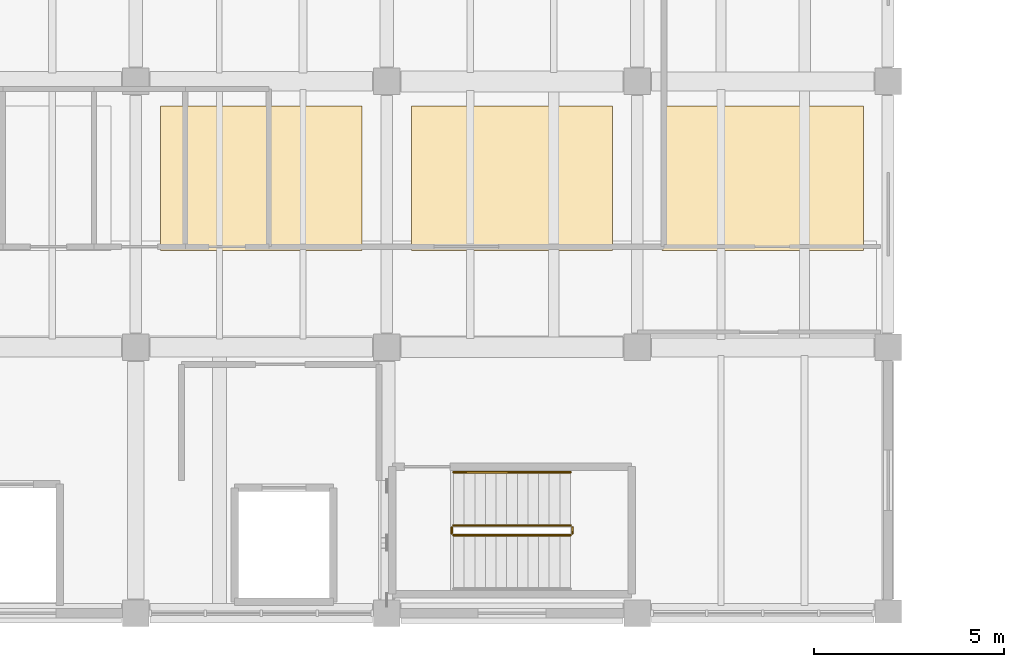
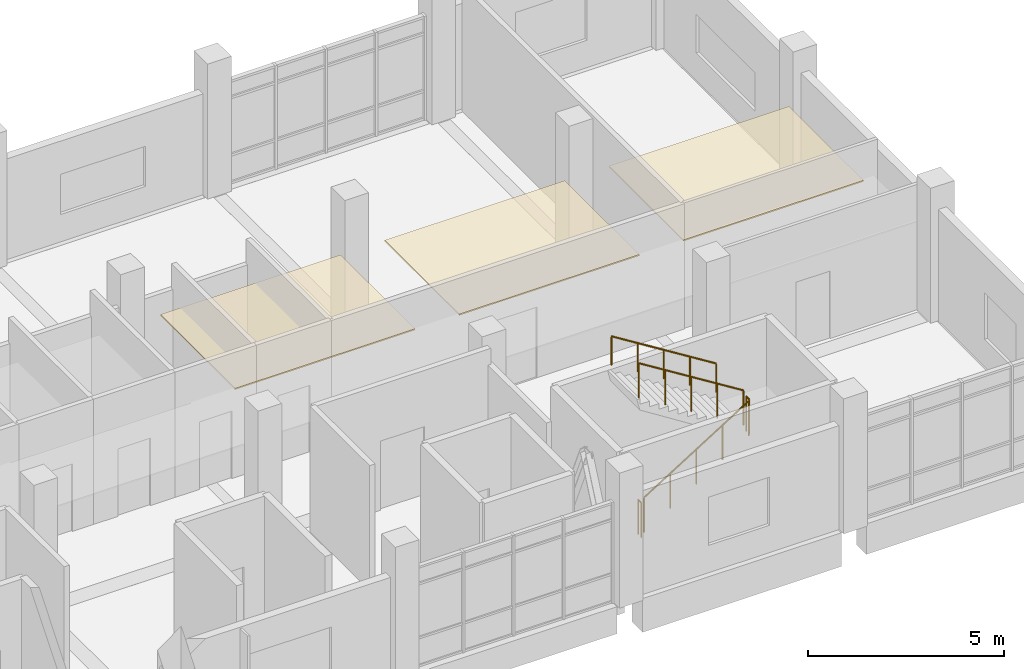
# One storey, part 19 of 20: 5 railings, 3 coverings.
"""IFC4 building model written with IfcOpenShell, lengths in metres."""

from ifc_helpers import new_model, si_unit, direction, frame, origin, origin_2d, place, context, subcontext, project, spatial, polyline, circle, outline, extrude, material, layer, layer_set, type_object, element, save


model = new_model("IFC4")

# Units and contexts
model_context = context("Model", 3, precision=1e-05, world=origin(), true_north=direction((0.0, 1.0)))
body_context = subcontext(model_context, "Body", "Model", "MODEL_VIEW")
ifc_project = project(units=[si_unit("LENGTHUNIT", "METRE"), si_unit("AREAUNIT", "SQUARE_METRE"), si_unit("VOLUMEUNIT", "CUBIC_METRE"), si_unit("PLANEANGLEUNIT", "RADIAN"), si_unit("MASSUNIT", "GRAM", prefix="KILO")], contexts=[model_context])

# Site, building, storey
site_placement = place(None, origin())
site = spatial("IfcSite", under=ifc_project, at=site_placement, CompositionType="ELEMENT")
building_placement = place(site_placement, origin())
building = spatial("IfcBuilding", under=site, at=building_placement, Name="Ciguamira Faculty of Natural Sciences", CompositionType="ELEMENT")
storey_placement = place(building_placement, frame((0.0, 0.0, 21.0)))
storey = spatial("IfcBuildingStorey", under=building, at=storey_placement, Name="L05", CompositionType="ELEMENT", Elevation=21.0)

# Coverings
ifc_material_1 = material(Name="Perforated white acoustic ceiling")
ifc_layer = layer(ifc_material_1, 0.0400390625, Name="Perforated white acoustic ceiling")
ifc_layer_set = layer_set([ifc_layer], Name="Perforated white acoustic ceiling")
covering_type = type_object("IfcCoveringType", Name="AcousticCeiling_AC01", PredefinedType="CEILING", material=ifc_layer_set)
covering_1_placement = place(storey_placement, frame((0.0, 0.0, 2.760009765625)))
element("IfcCovering", 1, at=covering_1_placement, inside=storey, type_object=covering_type, Name="L05 research bay 04 acoustic ceiling", PredefinedType="CEILING", context=body_context, shape_type="SweptSolid", body=[
    extrude(outline(polyline([(90.949951171875, 103.550048828125), (96.25, 103.550048828125), (96.25, 107.35009765625), (90.949951171875, 107.35009765625), (90.949951171875, 103.550048828125)])), origin(), (0.0, 0.0, 1.0), 0.0400390625),
])
covering_2_placement = place(storey_placement, frame((0.0, 0.0, 2.760009765625)))
element("IfcCovering", 2, at=covering_2_placement, inside=storey, type_object=covering_type, Name="L05 research bay 05 acoustic ceiling", PredefinedType="CEILING", context=body_context, shape_type="SweptSolid", body=[
    extrude(outline(polyline([(97.550048828125, 103.550048828125), (102.85009765625, 103.550048828125), (102.85009765625, 107.35009765625), (97.550048828125, 107.35009765625), (97.550048828125, 103.550048828125)])), origin(), (0.0, 0.0, 1.0), 0.0400390625),
])
covering_3_placement = place(storey_placement, frame((0.0, 0.0, 2.760009765625)))
element("IfcCovering", 3, at=covering_3_placement, inside=storey, type_object=covering_type, Name="L05 research bay 06 acoustic ceiling", PredefinedType="CEILING", context=body_context, shape_type="SweptSolid", body=[
    extrude(outline(polyline([(104.14990234375, 103.550048828125), (109.449951171875, 103.550048828125), (109.449951171875, 107.35009765625), (104.14990234375, 107.35009765625), (104.14990234375, 103.550048828125)])), origin(), (0.0, 0.0, 1.0), 0.0400390625),
])

# Railings
ifc_material_2 = material(Name="Stainless steel balustrade", Category="steel")
railing_type_1 = type_object("IfcRailingType", Name="Guardrail_GR01", PredefinedType="GUARDRAIL", material=ifc_material_2)
railing_1_placement = place(storey_placement, frame((98.659912109375, 96.050048828125, 0.175048828125)))
element("IfcRailing", 4, at=railing_1_placement, inside=storey, type_object=railing_type_1, Name="L05 ST-T2 stair guard 1", PredefinedType="GUARDRAIL", context=body_context, shape_type="SweptSolid", body=[
    extrude(circle(Radius=0.02392578125, at=origin_2d()), frame((0.0, 0.0, 1.076171875), z_axis=(0.847998304005, 0.0, 0.529998940003), x_axis=(0.0, 1.0, 0.0)), (0.0, 0.0, 1.0), 3.632080078125),
    extrude(circle(Radius=0.02099609375, at=origin_2d()), origin(), (0.0, 0.0, 1.0), 1.052001953125),
    extrude(circle(Radius=0.02099609375, at=origin_2d()), frame((0.77001953125, 0.0, 0.481201171875)), (0.0, 0.0, 1.0), 1.052001953125),
    extrude(circle(Radius=0.02099609375, at=origin_2d()), frame((1.5400390625, 0.0, 0.96240234375)), (0.0, 0.0, 1.0), 1.052001953125),
    extrude(circle(Radius=0.02099609375, at=origin_2d()), frame((2.31005859375, 0.0, 1.44384765625)), (0.0, 0.0, 1.0), 1.052001953125),
    extrude(circle(Radius=0.02099609375, at=origin_2d()), frame((3.080078125, 0.0, 1.925048828125)), (0.0, 0.0, 1.0), 1.052001953125),
])
railing_2_placement = place(storey_placement, frame((101.7900390625, 96.10009765625, 2.10009765625)))
element("IfcRailing", 5, at=railing_2_placement, inside=storey, type_object=railing_type_1, Name="L05 ST-T2 stair guard 2", PredefinedType="GUARDRAIL", context=body_context, shape_type="SweptSolid", body=[
    extrude(circle(Radius=0.02392578125, at=origin_2d()), frame((0.0, 0.0, 1.076171875), z_axis=(0.0, 1.0, 0.0), x_axis=(-1.0, 0.0, 0.0)), (0.0, 0.0, 1.0), 0.159912109375),
    extrude(circle(Radius=0.02099609375, at=origin_2d()), origin(), (0.0, 0.0, 1.0), 1.052001953125),
    extrude(circle(Radius=0.02099609375, at=origin_2d()), frame((0.0, 0.159912109375, 0.0)), (0.0, 0.0, 1.0), 1.052001953125),
])
railing_3_placement = place(storey_placement, frame((101.739990234375, 96.31005859375, 2.27490234375)))
element("IfcRailing", 6, at=railing_3_placement, inside=storey, type_object=railing_type_1, Name="L05 ST-T2 stair guard 3", PredefinedType="GUARDRAIL", context=body_context, shape_type="SweptSolid", body=[
    extrude(circle(Radius=0.02392578125, at=origin_2d()), frame((0.0, 0.0, 1.076171875), z_axis=(-0.847998304005, 0.0, 0.529998940003), x_axis=(0.0, -1.0, 0.0)), (0.0, 0.0, 1.0), 3.632080078125),
    extrude(circle(Radius=0.02099609375, at=origin_2d()), origin(), (0.0, 0.0, 1.0), 1.052001953125),
    extrude(circle(Radius=0.02099609375, at=origin_2d()), frame((-0.77001953125, 0.0, 0.481201171875)), (0.0, 0.0, 1.0), 1.052001953125),
    extrude(circle(Radius=0.02099609375, at=origin_2d()), frame((-1.5400390625, 0.0, 0.96240234375)), (0.0, 0.0, 1.0), 1.052001953125),
    extrude(circle(Radius=0.02099609375, at=origin_2d()), frame((-2.31005859375, 0.0, 1.44384765625)), (0.0, 0.0, 1.0), 1.052001953125),
    extrude(circle(Radius=0.02099609375, at=origin_2d()), frame((-3.080078125, 0.0, 1.925048828125)), (0.0, 0.0, 1.0), 1.052001953125),
])
railing_4_placement = place(storey_placement, frame((98.610107421875, 96.10009765625, 0.0)))
element("IfcRailing", 7, at=railing_4_placement, inside=storey, type_object=railing_type_1, Name="L05 ST-T2 stair guard 4", PredefinedType="GUARDRAIL", context=body_context, shape_type="SweptSolid", body=[
    extrude(circle(Radius=0.02392578125, at=origin_2d()), frame((0.0, 0.0, 1.076171875), z_axis=(0.0, 1.0, 0.0), x_axis=(-1.0, 0.0, 0.0)), (0.0, 0.0, 1.0), 0.159912109375),
    extrude(circle(Radius=0.02099609375, at=origin_2d()), origin(), (0.0, 0.0, 1.0), 1.052001953125),
    extrude(circle(Radius=0.02099609375, at=origin_2d()), frame((0.0, 0.159912109375, 0.0)), (0.0, 0.0, 1.0), 1.052001953125),
])
ifc_material_3 = material(Name="Stainless steel handrail", Category="steel")
railing_type_2 = type_object("IfcRailingType", Name="Handrail_HR01", PredefinedType="HANDRAIL", material=ifc_material_3)
railing_5_placement = place(storey_placement, frame((101.739990234375, 97.7099609375, 2.449951171875)))
element("IfcRailing", 8, at=railing_5_placement, inside=storey, type_object=railing_type_2, Name="L05 ST-T2 stair handrail 2", PredefinedType="HANDRAIL", context=body_context, shape_type="SweptSolid", body=[
    extrude(circle(Radius=0.02392578125, at=origin_2d()), frame((0.0, 0.0, 0.89111328125), z_axis=(-0.847998304005, 0.0, 0.529998940003), x_axis=(0.0, -1.0, 0.0)), (0.0, 0.0, 1.0), 3.632080078125),
    extrude(circle(Radius=0.02099609375, at=origin_2d()), origin(), (0.0, 0.0, 1.0), 0.866943359375),
    extrude(circle(Radius=0.02099609375, at=origin_2d()), frame((-0.77001953125, 0.0, 0.481201171875)), (0.0, 0.0, 1.0), 0.866943359375),
    extrude(circle(Radius=0.02099609375, at=origin_2d()), frame((-1.5400390625, 0.0, 0.96240234375)), (0.0, 0.0, 1.0), 0.866943359375),
    extrude(circle(Radius=0.02099609375, at=origin_2d()), frame((-2.31005859375, 0.0, 1.44384765625)), (0.0, 0.0, 1.0), 0.866943359375),
    extrude(circle(Radius=0.02099609375, at=origin_2d()), frame((-3.080078125, 0.0, 1.925048828125)), (0.0, 0.0, 1.0), 0.866943359375),
])

save(model, "model.ifc")
